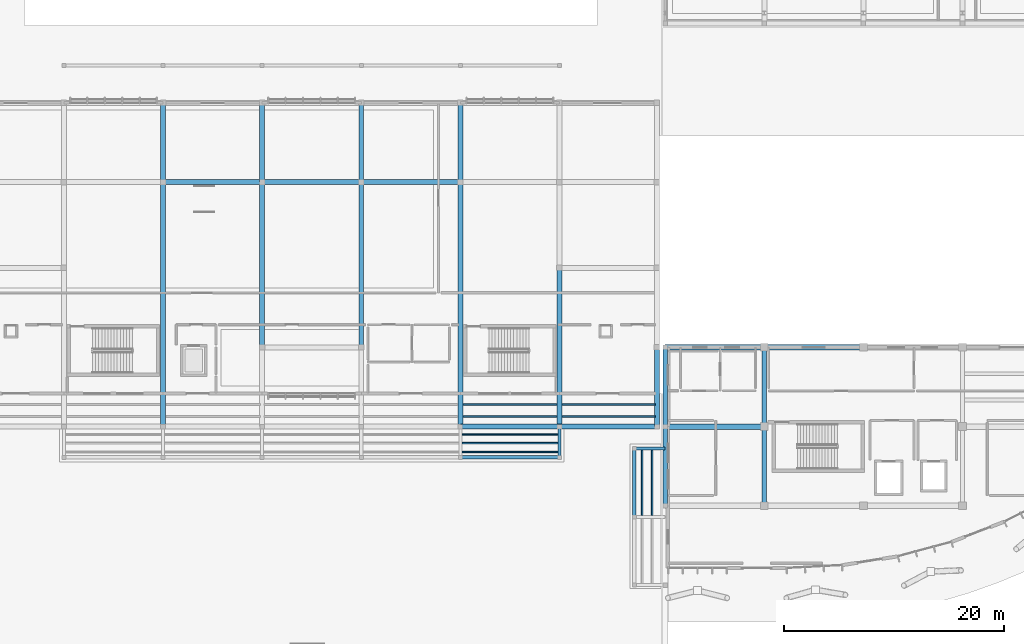
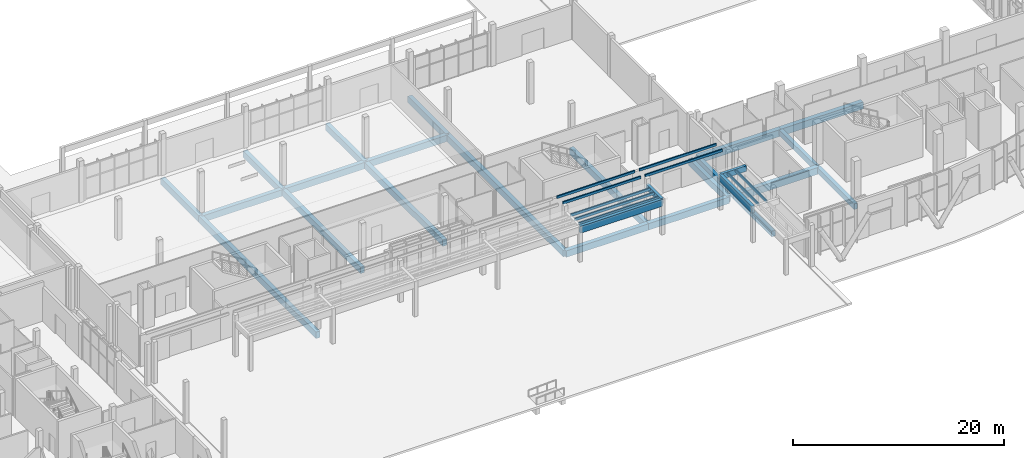
# One storey, part 39 of 151: 26 beams, 9 members.
"""IFC4 building model written with IfcOpenShell, lengths in metres."""

from ifc_helpers import new_model, si_unit, direction, frame, origin, origin_2d, place, context, subcontext, project, spatial, rectangle, extrude, material, material_profile, profile_set, type_object, element, save


model = new_model("IFC4")

# Units and contexts
model_context = context("Model", 3, precision=1e-05, world=origin(), true_north=direction((0.0, 1.0)))
body_context = subcontext(model_context, "Body", "Model", "MODEL_VIEW")
ifc_project = project(units=[si_unit("LENGTHUNIT", "METRE"), si_unit("AREAUNIT", "SQUARE_METRE"), si_unit("VOLUMEUNIT", "CUBIC_METRE"), si_unit("PLANEANGLEUNIT", "RADIAN"), si_unit("MASSUNIT", "GRAM", prefix="KILO")], contexts=[model_context])

# Site, building, storey
site_placement = place(None, origin())
site = spatial("IfcSite", under=ifc_project, at=site_placement, CompositionType="ELEMENT")
building_placement = place(site_placement, origin())
building = spatial("IfcBuilding", under=site, at=building_placement, Name="Chiffa Square Polytechnic", CompositionType="ELEMENT")
storey_placement = place(building_placement, origin())
storey = spatial("IfcBuildingStorey", under=building, at=storey_placement, Name="L00", CompositionType="ELEMENT", Elevation=0.0)

# Beams
ifc_material_1 = material(Name="Concrete C35/45", Category="concrete")
ifc_material_profile_1 = material_profile(ifc_material_1, rectangle(XDim=0.39990234375, YDim=0.64990234375, at=origin_2d()), Name="RC 400x650")
ifc_profile_set_1 = profile_set([ifc_material_profile_1], Name="Concrete C35/45")
beam_type_1 = type_object("IfcBeamType", Name="BM-RC-400X650", PredefinedType="BEAM", material=ifc_profile_set_1)
beam_1_placement = place(storey_placement, frame((112.199951171875, 14.39990234375, -0.675048828125), z_axis=(0.0, 1.0, 0.0), x_axis=(-1.0, 0.0, 0.0)))
element("IfcBeam", 1, at=beam_1_placement, inside=storey, type_object=beam_type_1, Name="Primary floor girder BM-V1-L00-Y-1122-0144", PredefinedType="BEAM", context=body_context, shape_type="SweptSolid", body=[
    extrude(rectangle(XDim=0.39990234375, YDim=0.64990234375, at=origin_2d()), origin(), (0.0, 0.0, 1.0), 7.2001953125),
])
beam_2_placement = place(storey_placement, frame((112.199951171875, 21.60009765625, -0.675048828125), z_axis=(0.0, 1.0, 0.0), x_axis=(-1.0, 0.0, 0.0)))
element("IfcBeam", 2, at=beam_2_placement, inside=storey, type_object=beam_type_1, Name="Primary floor girder BM-V1-L00-Y-1122-0216", PredefinedType="BEAM", context=body_context, shape_type="SweptSolid", body=[
    extrude(rectangle(XDim=0.39990234375, YDim=0.64990234375, at=origin_2d()), origin(), (0.0, 0.0, 1.0), 7.199951171875),
])
beam_3_placement = place(storey_placement, frame((121.199951171875, 14.39990234375, -0.675048828125), z_axis=(0.0, 1.0, 0.0), x_axis=(-1.0, 0.0, 0.0)))
element("IfcBeam", 3, at=beam_3_placement, inside=storey, type_object=beam_type_1, Name="Primary floor girder BM-V1-L00-Y-1212-0144", PredefinedType="BEAM", context=body_context, shape_type="SweptSolid", body=[
    extrude(rectangle(XDim=0.39990234375, YDim=0.64990234375, at=origin_2d()), origin(), (0.0, 0.0, 1.0), 7.2001953125),
])
beam_4_placement = place(storey_placement, frame((121.199951171875, 21.60009765625, -0.675048828125), z_axis=(0.0, 1.0, 0.0), x_axis=(-1.0, 0.0, 0.0)))
element("IfcBeam", 4, at=beam_4_placement, inside=storey, type_object=beam_type_1, Name="Primary floor girder BM-V1-L00-Y-1212-0216", PredefinedType="BEAM", context=body_context, shape_type="SweptSolid", body=[
    extrude(rectangle(XDim=0.39990234375, YDim=0.64990234375, at=origin_2d()), origin(), (0.0, 0.0, 1.0), 7.199951171875),
])
ifc_material_2 = material(Name="Concrete C40/50", Category="concrete")
ifc_material_profile_2 = material_profile(ifc_material_2, rectangle(XDim=0.5, YDim=0.800048828125, at=origin_2d()), Name="RC 500x800")
ifc_profile_set_2 = profile_set([ifc_material_profile_2], Name="Concrete C40/50")
beam_type_2 = type_object("IfcBeamType", Name="BM-RC-500X800", PredefinedType="BEAM", material=ifc_profile_set_2)
for number, where, z_axis, x_axis, name in (
    (5, (112.199951171875, 21.60009765625, -0.75), (1.0, 0.0, 0.0), (0.0, 1.0, 0.0), "Primary floor girder BM-V1-L00-X-1122-0216"),
    (6, (112.199951171875, 28.800048828125, -0.75), (1.0, 0.0, 0.0), (0.0, 1.0, 0.0), "Primary floor girder BM-V1-L00-X-1122-0288"),
    (7, (121.199951171875, 28.800048828125, -0.75), (1.0, 0.0, 0.0), (0.0, 1.0, 0.0), "Primary floor girder BM-V1-L00-X-1212-0288"),
):
    element("IfcBeam", number, at=place(storey_placement, frame(where, z_axis=z_axis, x_axis=x_axis)), inside=storey, type_object=beam_type_2, Name=name, PredefinedType="BEAM", context=body_context, shape_type="SweptSolid", body=[
        extrude(rectangle(XDim=0.5, YDim=0.800048828125, at=origin_2d()), origin(), (0.0, 0.0, 1.0), 9.0),
    ])
ifc_material_profile_3 = material_profile(ifc_material_1, rectangle(XDim=0.449951171875, YDim=0.75, at=origin_2d()), Name="RC 450x750")
ifc_profile_set_3 = profile_set([ifc_material_profile_3], Name="Concrete C35/45")
beam_type_3 = type_object("IfcBeamType", Name="GB-RC-450X750", PredefinedType="BEAM", material=ifc_profile_set_3)
beam_5_placement = place(storey_placement, frame((93.60009765625, 21.60009765625, -0.77490234375), z_axis=(1.0, 0.0, 0.0), x_axis=(0.0, 1.0, 0.0)))
element("IfcBeam", 8, at=beam_5_placement, inside=storey, type_object=beam_type_3, Name="Ground tie beam GB-V4-X-102", PredefinedType="BEAM", context=body_context, shape_type="SweptSolid", body=[
    extrude(rectangle(XDim=0.449951171875, YDim=0.75, at=origin_2d()), origin(), (0.0, 0.0, 1.0), 9.0),
])
beam_6_placement = place(storey_placement, frame((102.60009765625, 21.60009765625, -0.77490234375), z_axis=(1.0, 0.0, 0.0), x_axis=(0.0, 1.0, 0.0)))
element("IfcBeam", 9, at=beam_6_placement, inside=storey, type_object=beam_type_3, Name="Ground tie beam GB-V4-X-103", PredefinedType="BEAM", context=body_context, shape_type="SweptSolid", body=[
    extrude(rectangle(XDim=0.449951171875, YDim=0.75, at=origin_2d()), origin(), (0.0, 0.0, 1.0), 8.849853515625),
])
for number, where, z_axis, x_axis, name in (
    (10, (66.60009765625, 43.800048828125, -0.77490234375), (1.0, 0.0, 0.0), (0.0, 1.0, 0.0), "Ground tie beam GB-V4-X-109"),
    (11, (75.60009765625, 43.800048828125, -0.77490234375), (1.0, 0.0, 0.0), (0.0, 1.0, 0.0), "Ground tie beam GB-V4-X-110"),
    (12, (84.60009765625, 43.800048828125, -0.77490234375), (1.0, 0.0, 0.0), (0.0, 1.0, 0.0), "Ground tie beam GB-V4-X-111"),
):
    element("IfcBeam", number, at=place(storey_placement, frame(where, z_axis=z_axis, x_axis=x_axis)), inside=storey, type_object=beam_type_3, Name=name, PredefinedType="BEAM", context=body_context, shape_type="SweptSolid", body=[
        extrude(rectangle(XDim=0.449951171875, YDim=0.75, at=origin_2d()), origin(), (0.0, 0.0, 1.0), 9.0),
    ])
beam_7_placement = place(storey_placement, frame((66.60009765625, 21.60009765625, -0.77490234375), z_axis=(0.0, 1.0, 0.0), x_axis=(-1.0, 0.0, 0.0)))
element("IfcBeam", 13, at=beam_7_placement, inside=storey, type_object=beam_type_3, Name="Ground tie beam GB-V4-Y-128", PredefinedType="BEAM", context=body_context, shape_type="SweptSolid", body=[
    extrude(rectangle(XDim=0.449951171875, YDim=0.75, at=origin_2d()), origin(), (0.0, 0.0, 1.0), 22.199951171875),
])
beam_8_placement = place(storey_placement, frame((66.60009765625, 43.800048828125, -0.77490234375), z_axis=(0.0, 1.0, 0.0), x_axis=(-1.0, 0.0, 0.0)))
element("IfcBeam", 14, at=beam_8_placement, inside=storey, type_object=beam_type_3, Name="Ground tie beam GB-V4-Y-129", PredefinedType="BEAM", context=body_context, shape_type="SweptSolid", body=[
    extrude(rectangle(XDim=0.449951171875, YDim=0.75, at=origin_2d()), origin(), (0.0, 0.0, 1.0), 7.199951171875),
])
beam_9_placement = place(storey_placement, frame((75.60009765625, 28.800048828125, -0.77490234375), z_axis=(0.0, 1.0, 0.0), x_axis=(-1.0, 0.0, 0.0)))
element("IfcBeam", 15, at=beam_9_placement, inside=storey, type_object=beam_type_3, Name="Ground tie beam GB-V4-Y-131", PredefinedType="BEAM", context=body_context, shape_type="SweptSolid", body=[
    extrude(rectangle(XDim=0.449951171875, YDim=0.75, at=origin_2d()), origin(), (0.0, 0.0, 1.0), 15.0),
])
beam_10_placement = place(storey_placement, frame((75.60009765625, 43.800048828125, -0.77490234375), z_axis=(0.0, 1.0, 0.0), x_axis=(-1.0, 0.0, 0.0)))
element("IfcBeam", 16, at=beam_10_placement, inside=storey, type_object=beam_type_3, Name="Ground tie beam GB-V4-Y-132", PredefinedType="BEAM", context=body_context, shape_type="SweptSolid", body=[
    extrude(rectangle(XDim=0.449951171875, YDim=0.75, at=origin_2d()), origin(), (0.0, 0.0, 1.0), 7.199951171875),
])
beam_11_placement = place(storey_placement, frame((84.60009765625, 28.800048828125, -0.77490234375), z_axis=(0.0, 1.0, 0.0), x_axis=(-1.0, 0.0, 0.0)))
element("IfcBeam", 17, at=beam_11_placement, inside=storey, type_object=beam_type_3, Name="Ground tie beam GB-V4-Y-134", PredefinedType="BEAM", context=body_context, shape_type="SweptSolid", body=[
    extrude(rectangle(XDim=0.449951171875, YDim=0.75, at=origin_2d()), origin(), (0.0, 0.0, 1.0), 15.0),
])
beam_12_placement = place(storey_placement, frame((84.60009765625, 43.800048828125, -0.77490234375), z_axis=(0.0, 1.0, 0.0), x_axis=(-1.0, 0.0, 0.0)))
element("IfcBeam", 18, at=beam_12_placement, inside=storey, type_object=beam_type_3, Name="Ground tie beam GB-V4-Y-135", PredefinedType="BEAM", context=body_context, shape_type="SweptSolid", body=[
    extrude(rectangle(XDim=0.449951171875, YDim=0.75, at=origin_2d()), origin(), (0.0, 0.0, 1.0), 7.199951171875),
])
beam_13_placement = place(storey_placement, frame((93.60009765625, 21.60009765625, -0.77490234375), z_axis=(0.0, 1.0, 0.0), x_axis=(-1.0, 0.0, 0.0)))
element("IfcBeam", 19, at=beam_13_placement, inside=storey, type_object=beam_type_3, Name="Ground tie beam GB-V4-Y-136", PredefinedType="BEAM", context=body_context, shape_type="SweptSolid", body=[
    extrude(rectangle(XDim=0.449951171875, YDim=0.75, at=origin_2d()), origin(), (0.0, 0.0, 1.0), 22.199951171875),
])
beam_14_placement = place(storey_placement, frame((93.60009765625, 43.800048828125, -0.77490234375), z_axis=(0.0, 1.0, 0.0), x_axis=(-1.0, 0.0, 0.0)))
element("IfcBeam", 20, at=beam_14_placement, inside=storey, type_object=beam_type_3, Name="Ground tie beam GB-V4-Y-137", PredefinedType="BEAM", context=body_context, shape_type="SweptSolid", body=[
    extrude(rectangle(XDim=0.449951171875, YDim=0.75, at=origin_2d()), origin(), (0.0, 0.0, 1.0), 7.199951171875),
])
beam_15_placement = place(storey_placement, frame((102.60009765625, 21.60009765625, -0.77490234375), z_axis=(0.0, 1.0, 0.0), x_axis=(-1.0, 0.0, 0.0)))
element("IfcBeam", 21, at=beam_15_placement, inside=storey, type_object=beam_type_3, Name="Ground tie beam GB-V4-Y-138", PredefinedType="BEAM", context=body_context, shape_type="SweptSolid", body=[
    extrude(rectangle(XDim=0.449951171875, YDim=0.75, at=origin_2d()), origin(), (0.0, 0.0, 1.0), 14.39990234375),
])
beam_16_placement = place(storey_placement, frame((111.449951171875, 21.60009765625, -0.77490234375), z_axis=(0.0, 1.0, 0.0), x_axis=(-1.0, 0.0, 0.0)))
element("IfcBeam", 22, at=beam_16_placement, inside=storey, type_object=beam_type_3, Name="Ground tie beam GB-V4-Y-141", PredefinedType="BEAM", context=body_context, shape_type="SweptSolid", body=[
    extrude(rectangle(XDim=0.449951171875, YDim=0.75, at=origin_2d()), origin(), (0.0, 0.0, 1.0), 7.199951171875),
])

# Members
ifc_material_3 = material(Name="Glulam GL28h", Category="wood")
ifc_material_profile_4 = material_profile(ifc_material_3, rectangle(XDim=0.139892578125, YDim=0.280029296875, at=origin_2d()), Name="GL28h 140x280")
ifc_profile_set_4 = profile_set([ifc_material_profile_4], Name="Glulam GL28h")
member_type = type_object("IfcMemberType", Name="MEM-RFT-GL140", PredefinedType="RAFTER", material=ifc_profile_set_4)
for number, where, z_axis, x_axis, name in (
    (23, (93.739990234375, 19.300048828125, 3.9599609375), (1.0, 0.0, 0.0), (0.0, 1.0, 0.0), "Civic square timber pergola rafter RF-SQN-05-193"),
    (24, (93.739990234375, 20.10009765625, 3.9599609375), (1.0, 0.0, 0.0), (0.0, 1.0, 0.0), "Civic square timber pergola rafter RF-SQN-05-201"),
    (25, (93.739990234375, 20.89990234375, 3.9599609375), (1.0, 0.0, 0.0), (0.0, 1.0, 0.0), "Civic square timber pergola rafter RF-SQN-05-209"),
):
    element("IfcMember", number, at=place(storey_placement, frame(where, z_axis=z_axis, x_axis=x_axis)), inside=storey, type_object=member_type, Name=name, PredefinedType="RAFTER", context=body_context, shape_type="SweptSolid", body=[
        extrude(rectangle(XDim=0.139892578125, YDim=0.280029296875, at=origin_2d()), origin(), (0.0, 0.0, 1.0), 8.719970703125),
    ])
for number, where, z_axis, x_axis, name in (
    (26, (110.10009765625, 13.5400390625, 3.9599609375), (0.0, 1.0, 0.0), (-1.0, 0.0, 0.0), "Civic square east timber rafter RF-SQE-02-1101"),
    (27, (111.0, 13.5400390625, 3.9599609375), (0.0, 1.0, 0.0), (-1.0, 0.0, 0.0), "Civic square east timber rafter RF-SQE-02-1110"),
):
    element("IfcMember", number, at=place(storey_placement, frame(where, z_axis=z_axis, x_axis=x_axis)), inside=storey, type_object=member_type, Name=name, PredefinedType="RAFTER", context=body_context, shape_type="SweptSolid", body=[
        extrude(rectangle(XDim=0.139892578125, YDim=0.280029296875, at=origin_2d()), origin(), (0.0, 0.0, 1.0), 5.919921875),
    ])
for number, where, z_axis, x_axis, name in (
    (28, (93.847900390625, 22.5, 4.382080078125), (1.0, 0.0, 0.0), (0.0, 1.0, 0.0), "Chiffa Square colonnade purlin rafter RF-COL-S-017"),
    (29, (93.847900390625, 23.60009765625, 4.382080078125), (1.0, 0.0, 0.0), (0.0, 1.0, 0.0), "Chiffa Square colonnade purlin rafter RF-COL-S-018"),
):
    element("IfcMember", number, at=place(storey_placement, frame(where, z_axis=z_axis, x_axis=x_axis)), inside=storey, type_object=member_type, Name=name, PredefinedType="RAFTER", context=body_context, shape_type="SweptSolid", body=[
        extrude(rectangle(XDim=0.139892578125, YDim=0.280029296875, at=origin_2d()), origin(), (0.0, 0.0, 1.0), 8.504150390625),
    ])
for number, where, z_axis, x_axis, name in (
    (30, (102.847900390625, 22.5, 4.382080078125), (1.0, 0.0, 0.0), (0.0, 1.0, 0.0), "Chiffa Square colonnade purlin rafter RF-COL-S-019"),
    (31, (102.847900390625, 23.60009765625, 4.382080078125), (1.0, 0.0, 0.0), (0.0, 1.0, 0.0), "Chiffa Square colonnade purlin rafter RF-COL-S-020"),
):
    element("IfcMember", number, at=place(storey_placement, frame(where, z_axis=z_axis, x_axis=x_axis)), inside=storey, type_object=member_type, Name=name, PredefinedType="RAFTER", context=body_context, shape_type="SweptSolid", body=[
        extrude(rectangle(XDim=0.139892578125, YDim=0.280029296875, at=origin_2d()), origin(), (0.0, 0.0, 1.0), 8.42919921875),
    ])

# Beams
ifc_material_profile_5 = material_profile(ifc_material_3, rectangle(XDim=0.280029296875, YDim=0.639892578125, at=origin_2d()), Name="GL28h 280x640")
ifc_profile_set_5 = profile_set([ifc_material_profile_5], Name="Glulam GL28h")
beam_type_4 = type_object("IfcBeamType", Name="RB-GL-280X640", PredefinedType="SPANDREL", material=ifc_profile_set_5)
for number, where, z_axis, x_axis, name in (
    (32, (102.60009765625, 18.800048828125, 3.780029296875), (0.0, 1.0, 0.0), (-1.0, 0.0, 0.0), "Civic square portico tie beam RB-SQN-TIE-06"),
    (33, (109.39990234375, 19.60009765625, 3.780029296875), (1.0, 0.0, 0.0), (0.0, 1.0, 0.0), "Civic square east portico tie beam RB-SQE-TIE-03"),
):
    element("IfcBeam", number, at=place(storey_placement, frame(where, z_axis=z_axis, x_axis=x_axis)), inside=storey, type_object=beam_type_4, Name=name, PredefinedType="SPANDREL", context=body_context, shape_type="SweptSolid", body=[
        extrude(rectangle(XDim=0.280029296875, YDim=0.639892578125, at=origin_2d()), origin(), (0.0, 0.0, 1.0), 2.800048828125),
    ])
ifc_material_profile_6 = material_profile(ifc_material_3, rectangle(XDim=0.320068359375, YDim=0.800048828125, at=origin_2d()), Name="GL28h 320x800")
ifc_profile_set_6 = profile_set([ifc_material_profile_6], Name="Glulam GL28h")
beam_type_5 = type_object("IfcBeamType", Name="RB-GL-320X800", PredefinedType="SPANDREL", material=ifc_profile_set_6)
beam_17_placement = place(storey_placement, frame((93.60009765625, 18.800048828125, 3.699951171875), z_axis=(1.0, 0.0, 0.0), x_axis=(0.0, 1.0, 0.0)))
element("IfcBeam", 34, at=beam_17_placement, inside=storey, type_object=beam_type_5, Name="Civic square portico edge beam RB-SQN-EDGE-05", PredefinedType="SPANDREL", context=body_context, shape_type="SweptSolid", body=[
    extrude(rectangle(XDim=0.320068359375, YDim=0.800048828125, at=origin_2d()), origin(), (0.0, 0.0, 1.0), 9.0),
])
beam_18_placement = place(storey_placement, frame((109.39990234375, 13.39990234375, 3.699951171875), z_axis=(0.0, 1.0, 0.0), x_axis=(-1.0, 0.0, 0.0)))
element("IfcBeam", 35, at=beam_18_placement, inside=storey, type_object=beam_type_5, Name="Civic square east portico edge beam RB-SQE-EDGE-02", PredefinedType="SPANDREL", context=body_context, shape_type="SweptSolid", body=[
    extrude(rectangle(XDim=0.320068359375, YDim=0.800048828125, at=origin_2d()), origin(), (0.0, 0.0, 1.0), 6.2001953125),
])

save(model, "model.ifc")
